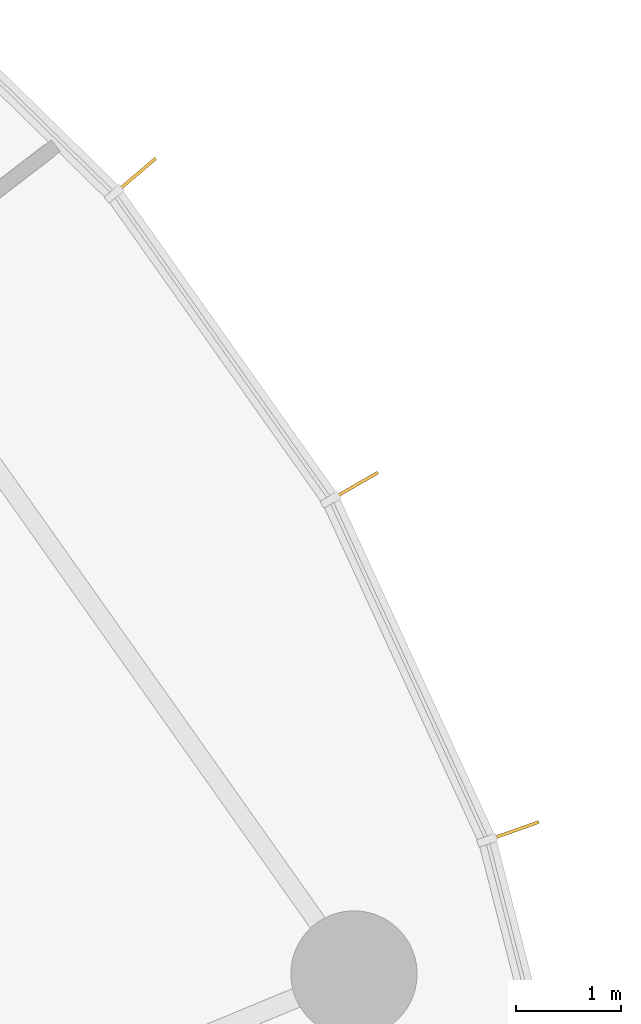
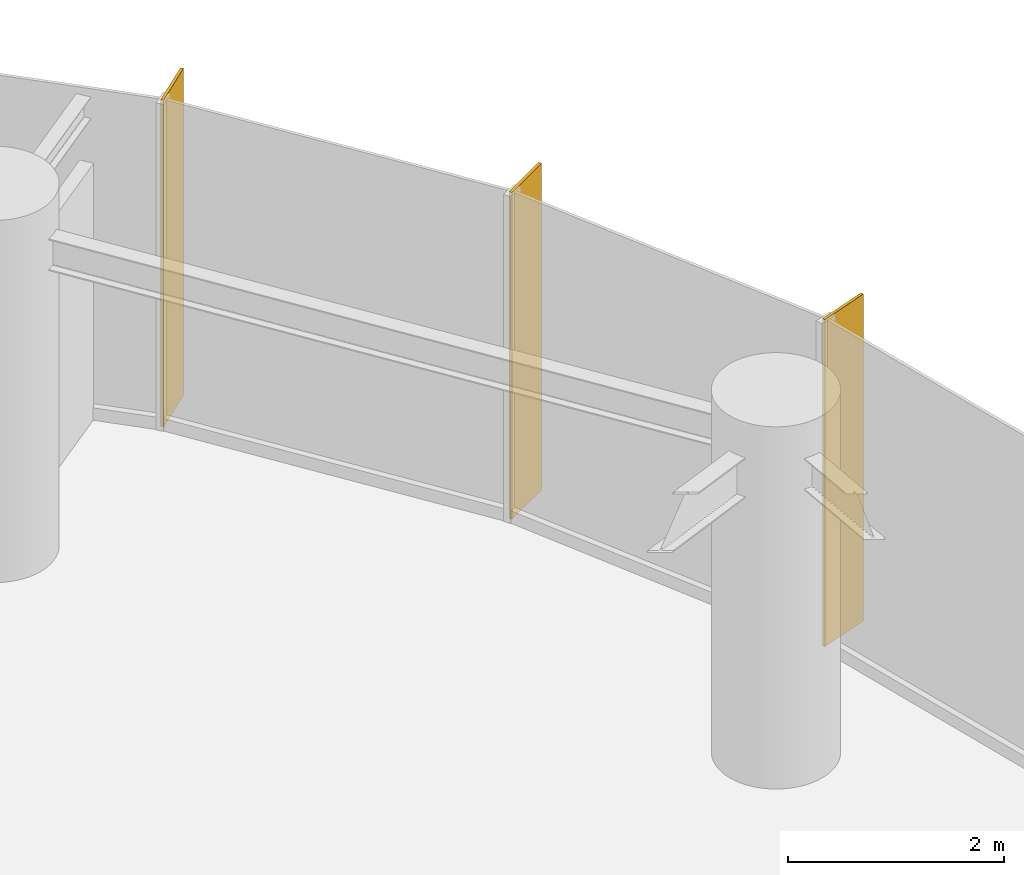
# One storey, part 17 of 17: 3 shading devices.
"""IFC4 building model written with IfcOpenShell, lengths in metres."""

from ifc_helpers import new_model, si_unit, direction, frame, origin, origin_2d, place, context, subcontext, project, spatial, rectangle, extrude, source, transform, mapped, material, material_profile, profile_set, type_object, element, save


model = new_model("IFC4")

# Units and contexts
model_context = context("Model", 3, precision=1e-05, world=origin(), true_north=direction((0.0, 1.0)))
body_context = subcontext(model_context, "Body", "Model", "MODEL_VIEW")
ifc_project = project(units=[si_unit("LENGTHUNIT", "METRE"), si_unit("AREAUNIT", "SQUARE_METRE"), si_unit("VOLUMEUNIT", "CUBIC_METRE"), si_unit("PLANEANGLEUNIT", "RADIAN"), si_unit("MASSUNIT", "GRAM", prefix="KILO")], contexts=[model_context])

# Site, building, storey
site_placement = place(None, origin())
site = spatial("IfcSite", under=ifc_project, at=site_placement, CompositionType="ELEMENT")
building_placement = place(site_placement, origin())
building = spatial("IfcBuilding", under=site, at=building_placement, Name="Spindrift Exchange Tower", CompositionType="ELEMENT")
storey_placement = place(building_placement, frame((0.0, 0.0, 120.800048828125)))
storey = spatial("IfcBuildingStorey", under=building, at=storey_placement, Name="L28", CompositionType="ELEMENT", Elevation=120.800048828125)

# Shading devices
ifc_material = material(Name="Bronze anodised aluminium", Category="aluminium")
ifc_material_profile = material_profile(ifc_material, rectangle(XDim=0.030029296875, YDim=0.550048828125, at=origin_2d()), Name="WIND FIN 30X550")
ifc_profile_set = profile_set([ifc_material_profile], Name="Bronze anodised aluminium")
shading_device_type = type_object("IfcShadingDeviceType", Name="WIND FIN 30X550", PredefinedType="USERDEFINED", material=ifc_profile_set)
shared_shape = source(origin(), body_context, "Body", "SweptSolid", [
    extrude(rectangle(XDim=0.030029296875, YDim=0.550048828125, at=origin_2d()), origin(), (0.0, 0.0, 1.0), 3.699951171875),
])
for number, where, z_axis, x_axis, name in (
    (1, (80.4453125, 64.416259765625, 0.0), (0.0, 0.0, 1.0), (-0.499848842438, 0.866112657056, 0.0), "L28 wind fin 2"),
    (2, (78.3623046875, 67.361328125, 0.0), (0.0, 0.0, 1.0), (-0.648732422482, 0.761016585903, 0.0), "L28 wind fin 3"),
    (3, (81.953369140625, 61.13916015625, 0.0), (0.0, 0.0, 1.0), (-0.334367820022, 0.942442656576, 0.0), "L28 wind fin 4"),
):
    element("IfcShadingDevice", number, at=place(storey_placement, frame(where, z_axis=z_axis, x_axis=x_axis)), inside=storey, type_object=shading_device_type, Name=name, ObjectType="FIN", PredefinedType="USERDEFINED", context=body_context, shape_type="MappedRepresentation", body=[
        mapped(shared_shape, transform((0.0, 0.0, 0.0), scale=1.0)),
    ])

save(model, "model.ifc")
